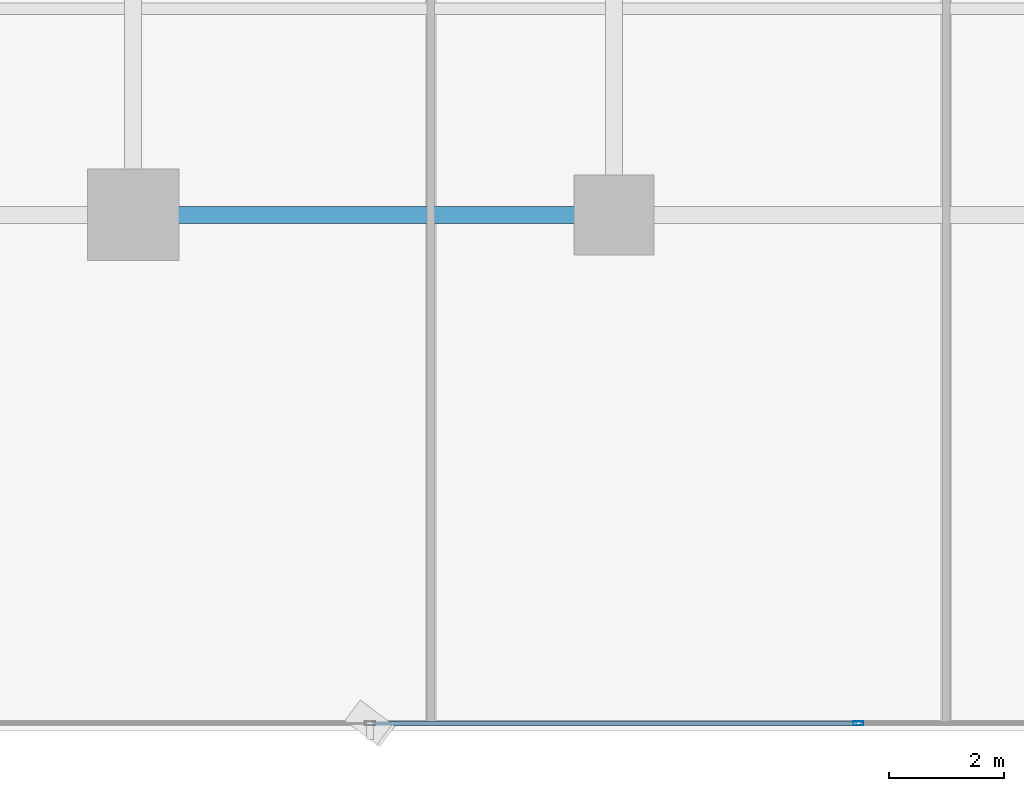
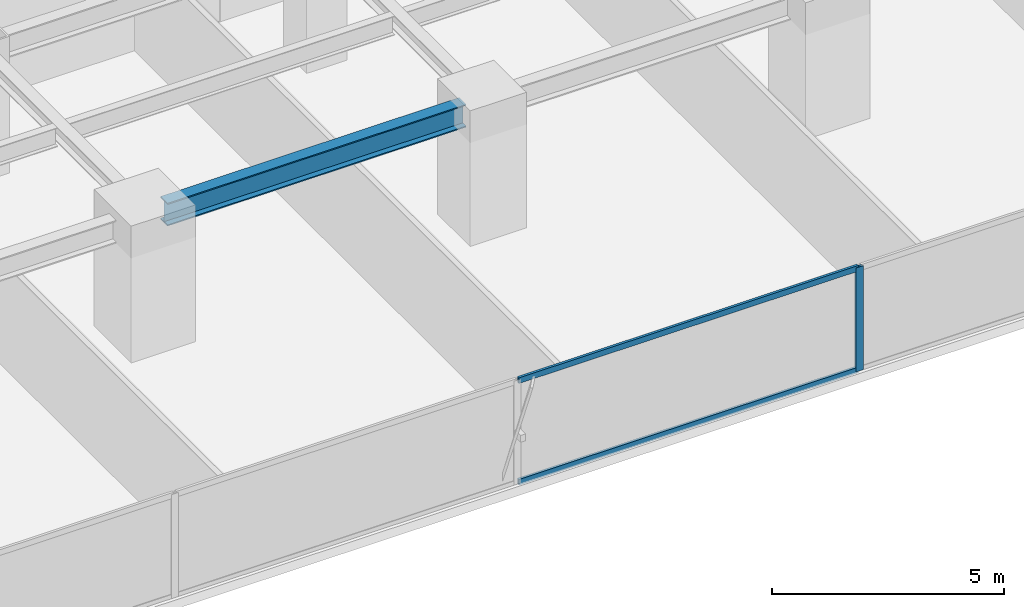
# One storey, part 5 of 34: 3 members, 1 beam, 1 element without a shape of its own.
"""IFC4 building model written with IfcOpenShell, lengths in metres."""

from ifc_helpers import new_model, si_unit, direction, frame, origin, origin_2d, place, context, subcontext, project, spatial, hollow_rectangle, i_section, extrude, source, transform, mapped, material, layer, layer_set, material_profile, profile_set, type_object, element, aggregate, save


model = new_model("IFC4")

# Units and contexts
model_context = context("Model", 3, precision=1e-05, world=origin(), true_north=direction((0.0, 1.0)))
body_context = subcontext(model_context, "Body", "Model", "MODEL_VIEW")
ifc_project = project(units=[si_unit("LENGTHUNIT", "METRE"), si_unit("AREAUNIT", "SQUARE_METRE"), si_unit("VOLUMEUNIT", "CUBIC_METRE"), si_unit("PLANEANGLEUNIT", "RADIAN"), si_unit("MASSUNIT", "GRAM", prefix="KILO")], contexts=[model_context])

# Site, building, storey
site_placement = place(None, origin())
site = spatial("IfcSite", under=ifc_project, at=site_placement, CompositionType="ELEMENT")
building_placement = place(site_placement, origin())
building = spatial("IfcBuilding", under=site, at=building_placement, Name="Sumidabori Civic Tower", CompositionType="ELEMENT")
storey_placement = place(building_placement, frame((0.0, 0.0, 41.60009765625)))
storey = spatial("IfcBuildingStorey", under=building, at=storey_placement, Name="L10", CompositionType="ELEMENT", Elevation=41.60009765625)

# Beam
ifc_material_1 = material(Name="Steel SN490", Category="steel")
ifc_material_profile_1 = material_profile(ifc_material_1, i_section(OverallWidth=0.300048828125, OverallDepth=0.60009765625, WebThickness=0.015380859375, FlangeThickness=0.030029296875, at=origin_2d()), Name="HE 600 B")
ifc_profile_set_1 = profile_set([ifc_material_profile_1], Name="Steel SN490")
beam_type = type_object("IfcBeamType", Name="BM-GIRD-600", PredefinedType="BEAM", material=ifc_profile_set_1)
shared_shape_1 = source(origin(), body_context, "Body", "SweptSolid", [
    extrude(i_section(OverallWidth=0.300048828125, OverallDepth=0.60009765625, WebThickness=0.015380859375, FlangeThickness=0.030029296875, at=origin_2d()), origin(), (0.0, 0.0, 1.0), 7.43994140625),
])
beam_placement = place(storey_placement, frame((-7.919921875, -18.0, 3.059814453125), z_axis=(1.0, 0.0, 0.0), x_axis=(0.0, 1.0, 0.0)))
element("IfcBeam", 1, at=beam_placement, inside=storey, type_object=beam_type, Name="Primary Girder L10 GX-03", PredefinedType="BEAM", context=body_context, shape_type="MappedRepresentation", body=[
    mapped(shared_shape_1, transform((0.0, 0.0, 0.0), x_axis=(1.0, 0.0, 0.0), y_axis=(0.0, 1.0, 0.0), z_axis=(0.0, 0.0, 1.0), scale=1.0)),
])

# Curtain wall, members
ifc_material_2 = material(Name="Anodised Bronze Aluminium AW-6063-T6", Category="aluminium")
ifc_layer = layer(ifc_material_2, 0.179931640625, Name="Anodised Bronze Aluminium AW-6063-T6")
ifc_layer_set = layer_set([ifc_layer], Name="Anodised Bronze Aluminium AW-6063-T6")
curtain_wall_type = type_object("IfcCurtainWallType", Name="CW-SYS-2", PredefinedType="NOTDEFINED", material=ifc_layer_set)
curtain_wall_placement = place(storey_placement, origin())
curtain_wall = element("IfcCurtainWall", 2, at=curtain_wall_placement, inside=storey, type_object=curtain_wall_type, Name="Curtain Wall CW:L10:R01", PredefinedType="NOTDEFINED")
ifc_material_profile_2 = material_profile(ifc_material_2, hollow_rectangle(XDim=0.070068359375, YDim=0.179931640625, WallThickness=0.006103515625, at=origin_2d()), Name="ALU MULLION 180x70")
ifc_profile_set_2 = profile_set([ifc_material_profile_2], Name="Anodised Bronze Aluminium AW-6063-T6")
member_type_1 = type_object("IfcMemberType", Name="CW-MUL-180", PredefinedType="MULLION", material=ifc_profile_set_2)
shared_shape_2 = source(origin(), body_context, "Body", "SweptSolid", [
    extrude(hollow_rectangle(XDim=0.070068359375, YDim=0.179931640625, WallThickness=0.006103515625, at=origin_2d()), origin(), (0.0, 0.0, 1.0), 2.739990234375),
])
member_1_placement = place(storey_placement, frame((4.263916015625, -26.8798828125, 0.0), z_axis=(0.0, 0.0, 1.0), x_axis=(0.0, 1.0, 0.0)))
member_1 = element("IfcMember", 3, at=member_1_placement, type_object=member_type_1, Name="CW-2 mullion 4", PredefinedType="MULLION", context=body_context, shape_type="MappedRepresentation", body=[
    mapped(shared_shape_2, transform((0.0, 0.0, 0.0), x_axis=(1.0, 0.0, 0.0), y_axis=(0.0, 1.0, 0.0), z_axis=(0.0, 0.0, 1.0), scale=1.0)),
])
ifc_material_profile_3 = material_profile(ifc_material_2, hollow_rectangle(XDim=0.06494140625, YDim=0.14990234375, WallThickness=0.0048828125, at=origin_2d()), Name="ALU TRANSOM 150x65")
ifc_profile_set_3 = profile_set([ifc_material_profile_3], Name="Anodised Bronze Aluminium AW-6063-T6")
member_type_2 = type_object("IfcMemberType", Name="CW-TRN-150", PredefinedType="USERDEFINED", material=ifc_profile_set_3)
shared_shape_3 = source(origin(), body_context, "Body", "SweptSolid", [
    extrude(hollow_rectangle(XDim=0.06494140625, YDim=0.14990234375, WallThickness=0.0048828125, at=origin_2d()), origin(), (0.0, 0.0, 1.0), 8.4580078125),
])
member_2_placement = place(storey_placement, frame((-4.22900390625, -26.8798828125, 0.032470703125), z_axis=(1.0, 0.0, 0.0), x_axis=(0.0, 1.0, 0.0)))
member_2 = element("IfcMember", 4, at=member_2_placement, type_object=member_type_2, Name="CW-2 transom 3.1", ObjectType="TRANSOM", PredefinedType="USERDEFINED", context=body_context, shape_type="MappedRepresentation", body=[
    mapped(shared_shape_3, transform((0.0, 0.0, 0.0), x_axis=(1.0, 0.0, 0.0), y_axis=(0.0, 1.0, 0.0), z_axis=(0.0, 0.0, 1.0), scale=1.0)),
])
member_3_placement = place(storey_placement, frame((-4.22900390625, -26.8798828125, 2.70751953125), z_axis=(1.0, 0.0, 0.0), x_axis=(0.0, 1.0, 0.0)))
member_3 = element("IfcMember", 5, at=member_3_placement, type_object=member_type_2, Name="CW-2 transom 3.2", ObjectType="TRANSOM", PredefinedType="USERDEFINED", context=body_context, shape_type="MappedRepresentation", body=[
    mapped(shared_shape_3, transform((0.0, 0.0, 0.0), x_axis=(1.0, 0.0, 0.0), y_axis=(0.0, 1.0, 0.0), z_axis=(0.0, 0.0, 1.0), scale=1.0)),
])
aggregate(curtain_wall, [member_1, member_2, member_3])

save(model, "model.ifc")
